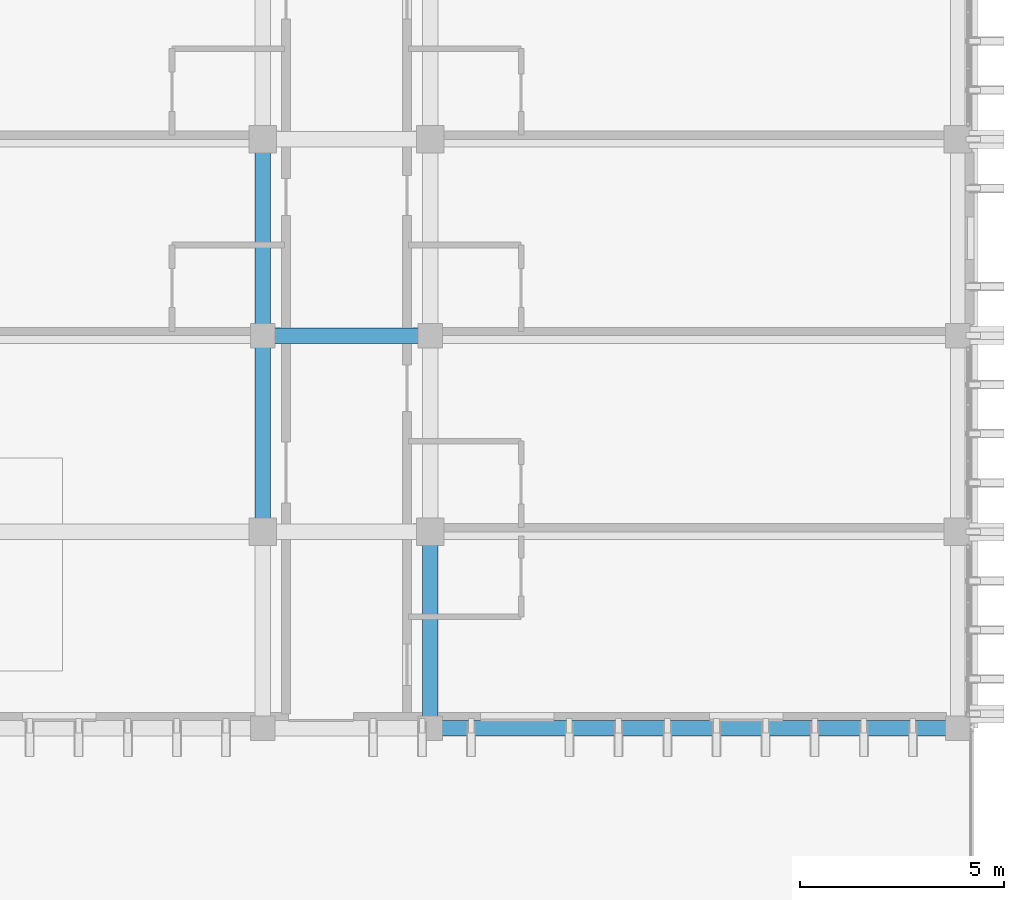
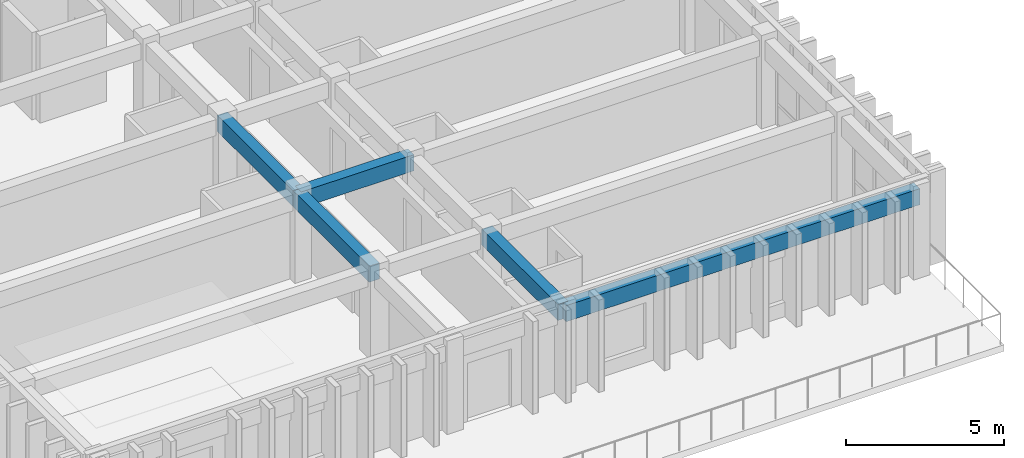
# One storey, part 5 of 53: 5 beams.
"""IFC4 building model written with IfcOpenShell, lengths in metres."""

import ifcopenshell
import ifcopenshell.guid

model = None  # the IFC model being written
_history = None  # IfcOwnerHistory: only IFC2X3 demands one
_inside = {}  # id of a spatial element -> (the spatial element, [elements in it])
_under = {}  # id of a project, library or spatial element -> (it, [spatial elements below it])
_declared = {}  # id of a project -> (the project, [libraries it declares])
_typed = {}  # id of a type object -> (the type object, [elements of that type])
_made_of = {}  # id of a material, layer set ... -> (it, [elements and type objects made of it])


def new_model(schema):
    """Start an empty IFC model of exactly this schema.

    Asked for "IFC4X3", IfcOpenShell would pick the latest addendum, in which some entities
    have other attributes; the version numbers below select the first issue.
    IFC2X3 requires an IfcOwnerHistory on every rooted entity: one is made here for all.
    """
    global model, _history
    if schema == "IFC4X3":
        model = ifcopenshell.file(schema_version=(4, 3, 0, 0))
    else:
        model = ifcopenshell.file(schema=schema)
    _inside.clear()
    _under.clear()
    _declared.clear()
    _typed.clear()
    _made_of.clear()
    _history = None
    if model.schema == "IFC2X3":
        org = make("IfcOrganization", Name="unknown")
        user = make(
            "IfcPersonAndOrganization",
            ThePerson=make("IfcPerson", FamilyName="unknown"),
            TheOrganization=org,
        )
        app = make(
            "IfcApplication",
            ApplicationDeveloper=org,
            Version="unknown",
            ApplicationFullName="unknown",
            ApplicationIdentifier="unknown",
        )
        _history = make(
            "IfcOwnerHistory",
            OwningUser=user,
            OwningApplication=app,
            ChangeAction="ADDED",
            CreationDate=0,
        )
    return model


def make(cls, **values):
    """One entity of the class cls with the attributes given. An attribute that is None is left unset."""
    return model.create_entity(
        cls, **{name: value for name, value in values.items() if value is not None}
    )


def rooted(cls, **values):
    """An entity with a GlobalId (a new one), such as an element, a storey or a relation."""
    return make(cls, GlobalId=ifcopenshell.guid.new(), OwnerHistory=_history, **values)


def si_unit(unit_type, name, prefix=None):
    """IfcSIUnit, for example si_unit("LENGTHUNIT", "METRE", prefix="MILLI")."""
    return make("IfcSIUnit", UnitType=unit_type, Prefix=prefix, Name=name)


def assignment(units):
    """IfcUnitAssignment: the units of a project."""
    return None if units is None else make("IfcUnitAssignment", Units=units)


def point(xyz):
    """IfcCartesianPoint."""
    return None if xyz is None else make("IfcCartesianPoint", Coordinates=xyz)


def direction(xyz):
    """IfcDirection."""
    return None if xyz is None else make("IfcDirection", DirectionRatios=xyz)


def frame(location, z_axis=None, x_axis=None):
    """IfcAxis2Placement3D, a coordinate frame: its origin and axes. An axis left out is left unset."""
    return make(
        "IfcAxis2Placement3D",
        Location=point(location),
        Axis=direction(z_axis),
        RefDirection=direction(x_axis),
    )


def frame_2d(location, x_axis=None):
    """IfcAxis2Placement2D, a coordinate frame in the plane: its origin and x axis."""
    return make(
        "IfcAxis2Placement2D", Location=point(location), RefDirection=direction(x_axis)
    )


def origin():
    """The frame at (0, 0, 0) with its axes left unset."""
    return frame((0.0, 0.0, 0.0))


def origin_2d():
    """The frame at (0, 0) in the plane with its x axis left unset."""
    return frame_2d((0.0, 0.0))


def place(relative_to, where):
    """IfcLocalPlacement: puts the frame where relative to a parent placement (None: the world)."""
    return make(
        "IfcLocalPlacement", PlacementRelTo=relative_to, RelativePlacement=where
    )


def context(
    kind, dimensions, precision=None, world=None, true_north=None, identifier=None
):
    """IfcGeometricRepresentationContext, for example the 3D "Model" context."""
    return make(
        "IfcGeometricRepresentationContext",
        ContextIdentifier=identifier,
        ContextType=kind,
        CoordinateSpaceDimension=dimensions,
        Precision=precision,
        WorldCoordinateSystem=world,
        TrueNorth=true_north,
    )


def subcontext(parent, identifier, kind, view, scale=None):
    """IfcGeometricRepresentationSubContext, for example "Body" below "Model"."""
    return make(
        "IfcGeometricRepresentationSubContext",
        ContextIdentifier=identifier,
        ContextType=kind,
        ParentContext=parent,
        TargetScale=scale,
        TargetView=view,
    )


def project(units=None, contexts=None):
    """IfcProject with its units and contexts."""
    return rooted(
        "IfcProject",
        Name="project",
        RepresentationContexts=contexts,
        UnitsInContext=assignment(units),
    )


def spatial(cls, under=None, at=None, **own):
    """A site, building, storey or space (cls), placed at a placement, below another one or the project."""
    s = rooted(cls, ObjectPlacement=at, **own)
    if under is not None:
        _under.setdefault(under.id(), (under, []))[1].append(s)
    return s


def profile(cls, at=None, kind="AREA", **sizes):
    """A parametric profile (cls). Its sizes go by their IFC names, for example OverallWidth=200.0."""
    return make(cls, ProfileType=kind, Position=at, **sizes)


def rectangle(**sizes):
    """IfcRectangleProfileDef."""
    return profile("IfcRectangleProfileDef", **sizes)


def extrude(swept, where, along, depth):
    """IfcExtrudedAreaSolid: the profile swept, set in the frame where, extruded along a direction by depth."""
    return make(
        "IfcExtrudedAreaSolid",
        SweptArea=swept,
        Position=where,
        ExtrudedDirection=direction(along),
        Depth=depth,
    )


def shape(context_of_items, identifier, shape_type, items):
    """IfcShapeRepresentation: the items that make up one representation, for example the "Body"."""
    return make(
        "IfcShapeRepresentation",
        ContextOfItems=context_of_items,
        RepresentationIdentifier=identifier,
        RepresentationType=shape_type,
        Items=items,
    )


def material(Name=None, Category=None):
    """IfcMaterial."""
    return make("IfcMaterial", Name=Name, Category=Category)


def material_profile(
    of_material, cross_section, Name=None, Category=None, Priority=None
):
    """IfcMaterialProfile: a cross section and its material."""
    return make(
        "IfcMaterialProfile",
        Name=Name,
        Material=of_material,
        Profile=cross_section,
        Priority=Priority,
        Category=Category,
    )


def profile_set(profiles, Name=None, composite=None):
    """IfcMaterialProfileSet."""
    return make(
        "IfcMaterialProfileSet",
        Name=Name,
        MaterialProfiles=profiles,
        CompositeProfile=composite,
    )


def made_of(thing, what):
    """Note that an element or type object is made of a material, layer set ...; save() writes the relation."""
    if what is not None:
        _made_of.setdefault(what.id(), (what, []))[1].append(thing)
    return thing


def type_object(cls, material=None, **own):
    """A type object (cls), such as IfcWallType, which elements share."""
    return made_of(rooted(cls, **own), material)


def element(
    cls,
    number,
    at=None,
    inside=None,
    cuts=None,
    type_object=None,
    material=None,
    context=None,
    identifier="Body",
    shape_type=None,
    held_by="IfcProductDefinitionShape",
    body=None,
    shapes=None,
    **own,
):
    """One element of the class cls, such as IfcWall. Its Tag is "e" and its number.

    at: its placement. inside: the storey or other place that contains it. cuts: it is an
    opening in that element (IfcRelVoidsElement). A single representation is given by context,
    identifier, shape_type and body (its items); several are given by shapes. held_by: the class
    of the entity that holds the representations. save() writes the other relations.
    """
    e = rooted(cls, Tag="e%d" % number, ObjectPlacement=at, **own)
    if body is not None:
        shapes = [shape(context, identifier, shape_type, body)]
    if shapes is not None:
        e.Representation = make(held_by, Representations=shapes)
    if inside is not None:
        _inside.setdefault(inside.id(), (inside, []))[1].append(e)
    if cuts is not None:
        rooted(
            "IfcRelVoidsElement", RelatingBuildingElement=cuts, RelatedOpeningElement=e
        )
    if type_object is not None:
        _typed.setdefault(type_object.id(), (type_object, []))[1].append(e)
    return made_of(e, material)


def aggregate(whole, parts):
    """IfcRelAggregates: a whole, such as a stair, and the parts it consists of."""
    return rooted("IfcRelAggregates", RelatingObject=whole, RelatedObjects=parts)


def save(model, path):
    """Write the relations noted so far, then the file.

    IfcRelAggregates (storeys below a building ...), IfcRelContainedInSpatialStructure (elements
    in a storey), IfcRelDefinesByType, IfcRelAssociatesMaterial and IfcRelDeclares: one each for
    every whole, place, type object, material and project.
    """
    for whole, parts in _under.values():
        aggregate(whole, parts)
    for where, things in _inside.values():
        rooted(
            "IfcRelContainedInSpatialStructure",
            RelatedElements=things,
            RelatingStructure=where,
        )
    for kind, things in _typed.values():
        rooted("IfcRelDefinesByType", RelatedObjects=things, RelatingType=kind)
    for what, things in _made_of.values():
        rooted("IfcRelAssociatesMaterial", RelatedObjects=things, RelatingMaterial=what)
    for by, libraries in _declared.values():
        rooted("IfcRelDeclares", RelatingContext=by, RelatedDefinitions=libraries)
    model.write(path)


model = new_model("IFC4")

# Units and contexts
model_context = context("Model", 3, precision=1e-05, world=origin(), true_north=direction((0.0, 1.0)))
body_context = subcontext(model_context, "Body", "Model", "MODEL_VIEW")
ifc_project = project(units=[si_unit("LENGTHUNIT", "METRE"), si_unit("AREAUNIT", "SQUARE_METRE"), si_unit("VOLUMEUNIT", "CUBIC_METRE"), si_unit("PLANEANGLEUNIT", "RADIAN"), si_unit("MASSUNIT", "GRAM", prefix="KILO")], contexts=[model_context])

# Site, building, storey
site_placement = place(None, origin())
site = spatial("IfcSite", under=ifc_project, at=site_placement, CompositionType="ELEMENT")
building_placement = place(site_placement, origin())
building = spatial("IfcBuilding", under=site, at=building_placement, Name="Nakhvara Creek Congress Hotel", CompositionType="ELEMENT")
storey_placement = place(building_placement, frame((0.0, 0.0, 35.39990234375)))
storey = spatial("IfcBuildingStorey", under=building, at=storey_placement, Name="L08", CompositionType="ELEMENT", Elevation=35.39990234375)

# Beams
ifc_material = material(Name="Concrete C40/50", Category="concrete")
ifc_material_profile = material_profile(ifc_material, rectangle(XDim=0.3798828125, YDim=0.6201171875, at=origin_2d()), Name="RC-BM 380x620", Category="LoadBearing")
ifc_profile_set = profile_set([ifc_material_profile], Name="Concrete C40/50")
beam_type = type_object("IfcBeamType", Name="BM-RC-380X620", PredefinedType="BEAM", material=ifc_profile_set)
beam_1_placement = place(storey_placement, frame((162.35009765625, 57.60009765625, 3.050048828125), z_axis=(0.0, 1.0, 0.0), x_axis=(-1.0, 0.0, 0.0)))
element("IfcBeam", 1, at=beam_1_placement, inside=storey, type_object=beam_type, Name="Beam B10-L08-2452", PredefinedType="BEAM", context=body_context, shape_type="SweptSolid", body=[
    extrude(rectangle(XDim=0.3798828125, YDim=0.6201171875, at=origin_2d()), origin(), (0.0, 0.0, 1.0), 4.7998046875),
])
for number, where, z_axis, x_axis, name in (
    (2, (162.35009765625, 62.39990234375, 3.050048828125), (0.0, 1.0, 0.0), (-1.0, 0.0, 0.0), "Beam B10-L08-2454"),
    (3, (166.449951171875, 52.800048828125, 3.050048828125), (0.0, 1.0, 0.0), (-1.0, 0.0, 0.0), "Beam B10-L08-2474"),
):
    element("IfcBeam", number, at=place(storey_placement, frame(where, z_axis=z_axis, x_axis=x_axis)), inside=storey, type_object=beam_type, Name=name, PredefinedType="BEAM", context=body_context, shape_type="SweptSolid", body=[
        extrude(rectangle(XDim=0.3798828125, YDim=0.6201171875, at=origin_2d()), origin(), (0.0, 0.0, 1.0), 4.800048828125),
    ])
beam_2_placement = place(storey_placement, frame((162.35009765625, 62.39990234375, 3.050048828125), z_axis=(1.0, 0.0, 0.0), x_axis=(0.0, 1.0, 0.0)))
element("IfcBeam", 4, at=beam_2_placement, inside=storey, type_object=beam_type, Name="Beam B10-L08-2518", PredefinedType="BEAM", context=body_context, shape_type="SweptSolid", body=[
    extrude(rectangle(XDim=0.3798828125, YDim=0.6201171875, at=origin_2d()), origin(), (0.0, 0.0, 1.0), 4.099853515625),
])
beam_3_placement = place(storey_placement, frame((166.449951171875, 52.800048828125, 3.050048828125), z_axis=(1.0, 0.0, 0.0), x_axis=(0.0, 1.0, 0.0)))
element("IfcBeam", 5, at=beam_3_placement, inside=storey, type_object=beam_type, Name="Beam B10-L08-2525", PredefinedType="BEAM", context=body_context, shape_type="SweptSolid", body=[
    extrude(rectangle(XDim=0.3798828125, YDim=0.6201171875, at=origin_2d()), origin(), (0.0, 0.0, 1.0), 12.900146484375),
])

save(model, "model.ifc")
